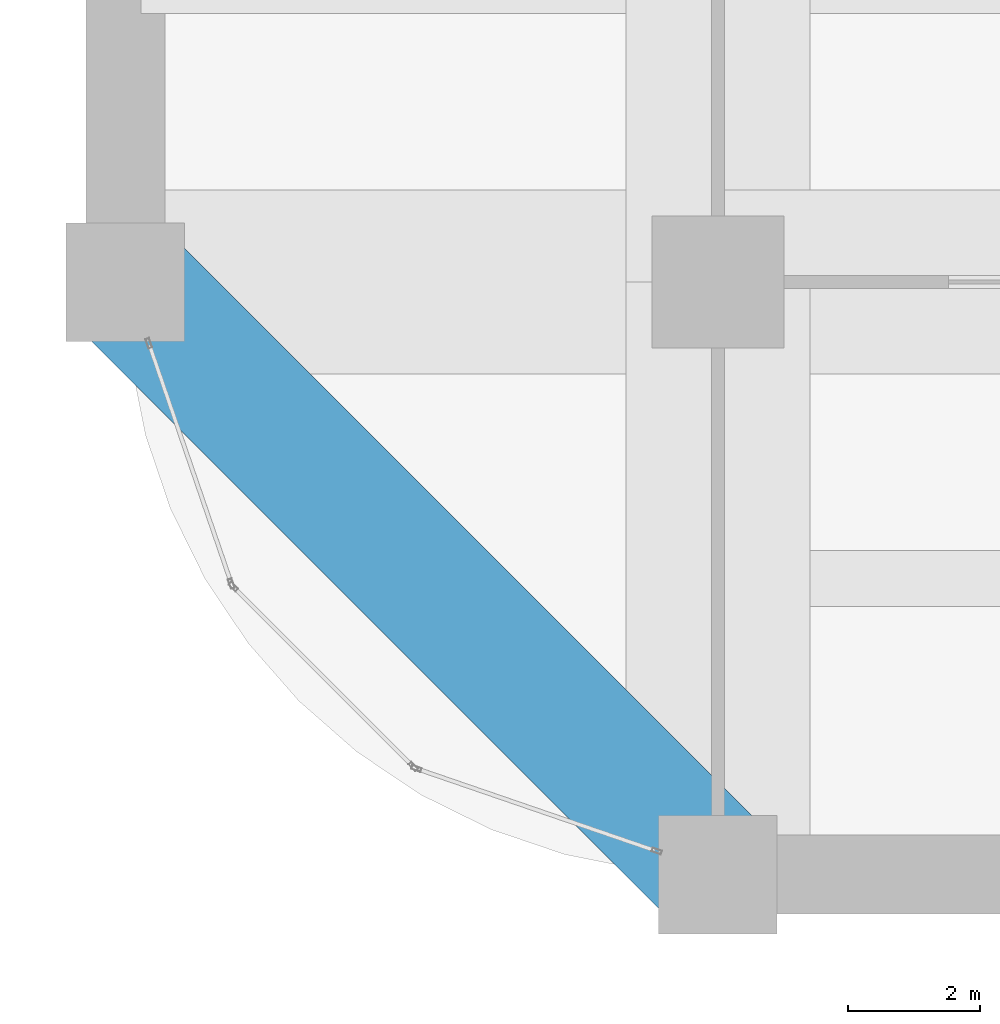
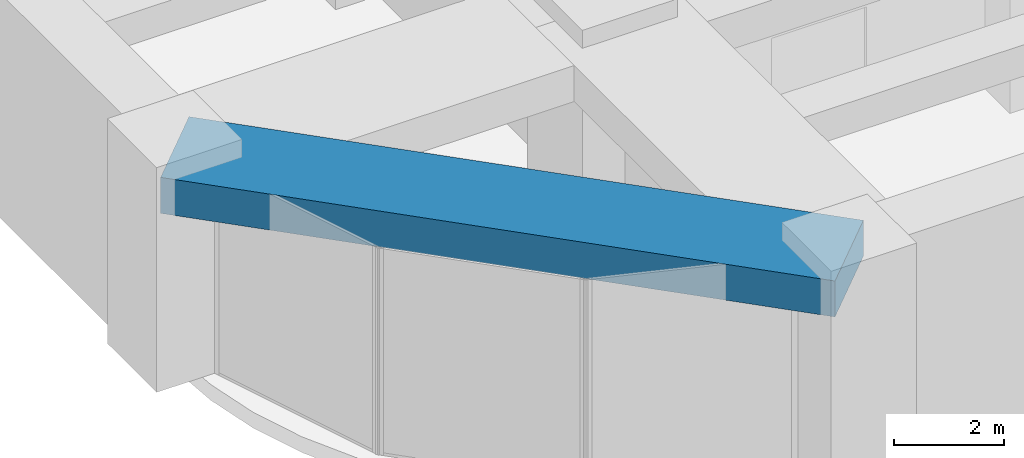
# One storey, part 3 of 38: 1 beam.
"""IFC4 building model written with IfcOpenShell, lengths in metres."""

from ifc_helpers import new_model, si_unit, direction, frame, origin, origin_2d, place, context, subcontext, project, spatial, rectangle, extrude, material, material_profile, profile_set, type_object, element, save


model = new_model("IFC4")

# Units and contexts
model_context = context("Model", 3, precision=1e-05, world=origin(), true_north=direction((0.0, 1.0)))
body_context = subcontext(model_context, "Body", "Model", "MODEL_VIEW")
ifc_project = project(units=[si_unit("LENGTHUNIT", "METRE"), si_unit("AREAUNIT", "SQUARE_METRE"), si_unit("VOLUMEUNIT", "CUBIC_METRE"), si_unit("PLANEANGLEUNIT", "RADIAN"), si_unit("MASSUNIT", "GRAM", prefix="KILO")], contexts=[model_context])

# Site, building, storey
site_placement = place(None, origin())
site = spatial("IfcSite", under=ifc_project, at=site_placement, CompositionType="ELEMENT")
building_placement = place(site_placement, origin())
building = spatial("IfcBuilding", under=site, at=building_placement, Name="Zorevar Civic Tower", CompositionType="ELEMENT")
storey_placement = place(building_placement, frame((0.0, 0.0, 157.199951171875)))
storey = spatial("IfcBuildingStorey", under=building, at=storey_placement, Name="L38", CompositionType="ELEMENT", Elevation=157.199951171875)

# Beam
ifc_material = material(Name="Concrete C50/60", Category="concrete")
ifc_material_profile = material_profile(ifc_material, rectangle(XDim=2.0, YDim=0.800048828125, at=origin_2d()), Name="RC 2000x800")
ifc_profile_set = profile_set([ifc_material_profile], Name="Concrete C50/60")
beam_type = type_object("IfcBeamType", Name="Edge beam RC 2000x800", PredefinedType="SPANDREL", material=ifc_profile_set)
beam_placement = place(storey_placement, frame((0.0, 9.0, 4.199951171875), z_axis=(0.707106781187, -0.707106781187, 0.0), x_axis=(0.707106781187, 0.707106781187, 0.0)))
element("IfcBeam", 1, at=beam_placement, inside=storey, type_object=beam_type, Name="Corner edge beam L39", PredefinedType="SPANDREL", context=body_context, shape_type="SweptSolid", body=[
    extrude(rectangle(XDim=2.0, YDim=0.800048828125, at=origin_2d()), origin(), (0.0, 0.0, 1.0), 12.72802734375),
])

save(model, "model.ifc")
